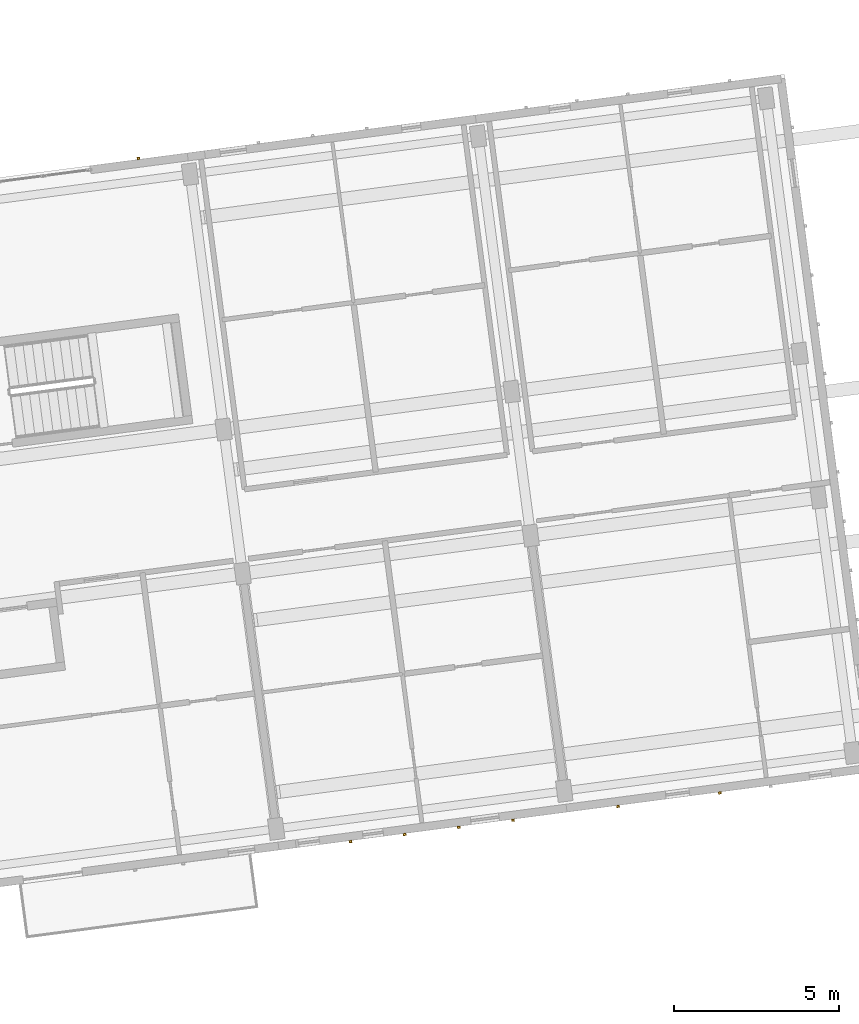
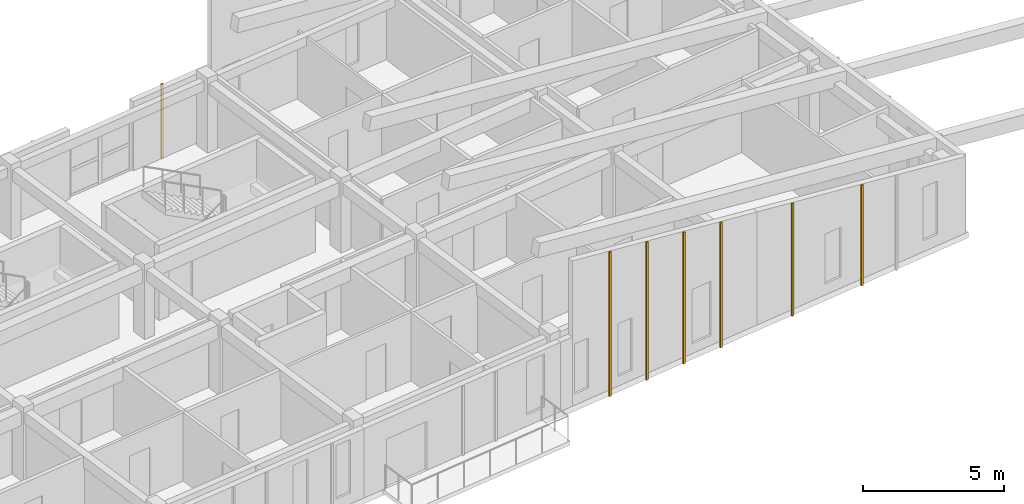
# One storey, part 13 of 16: 7 coverings.
"""IFC4 building model written with IfcOpenShell, lengths in metres."""

from ifc_helpers import new_model, si_unit, direction, frame, origin, origin_2d, place, context, subcontext, project, spatial, rectangle, extrude, material, layer, layer_set, type_object, element, save


model = new_model("IFC4")

# Units and contexts
model_context = context("Model", 3, precision=1e-05, world=origin(), true_north=direction((0.0, 1.0)))
body_context = subcontext(model_context, "Body", "Model", "MODEL_VIEW")
ifc_project = project(units=[si_unit("LENGTHUNIT", "METRE"), si_unit("AREAUNIT", "SQUARE_METRE"), si_unit("VOLUMEUNIT", "CUBIC_METRE"), si_unit("PLANEANGLEUNIT", "RADIAN"), si_unit("MASSUNIT", "GRAM", prefix="KILO")], contexts=[model_context])

# Site, building, storey
site_placement = place(None, origin())
site = spatial("IfcSite", under=ifc_project, at=site_placement, CompositionType="ELEMENT")
building_placement = place(site_placement, origin())
building = spatial("IfcBuilding", under=site, at=building_placement, Name="Kestramere Prow Commons", CompositionType="ELEMENT")
storey_placement = place(building_placement, frame((0.0, 0.0, 40.89990234375)))
storey = spatial("IfcBuildingStorey", under=building, at=storey_placement, Name="L12", CompositionType="ELEMENT", Elevation=40.89990234375)

# Coverings
ifc_material = material(Name="Weathered Zinc-Titanium Standing-Seam Cladding")
ifc_layer = layer(ifc_material, 0.074951171875)
ifc_layer_set = layer_set([ifc_layer], Name="Weathered Zinc-Titanium Standing-Seam Cladding")
covering_type = type_object("IfcCoveringType", Name="COV-CLAD-SEAM", PredefinedType="CLADDING", material=ifc_layer_set)
covering_1_placement = place(storey_placement, frame((44.54638671875, 75.706787109375, -0.25), z_axis=(0.0, 0.0, 1.0), x_axis=(-0.991444861374, -0.13052619222, 0.0)))
element("IfcCovering", 1, at=covering_1_placement, inside=storey, type_object=covering_type, Name="EW-A-L12-S-3 Standing-Seam Rib 1", PredefinedType="CLADDING", context=body_context, shape_type="SweptSolid", body=[
    extrude(rectangle(XDim=0.0849609375, YDim=0.06494140625, at=origin_2d()), origin(), (0.0, 0.0, 1.0), 5.4306640625),
])
covering_2_placement = place(storey_placement, frame((42.905517578125, 75.49072265625, -0.25), z_axis=(0.0, 0.0, 1.0), x_axis=(-0.991444861374, -0.13052619222, 0.0)))
element("IfcCovering", 2, at=covering_2_placement, inside=storey, type_object=covering_type, Name="EW-A-L12-S-3 Standing-Seam Rib 2", PredefinedType="CLADDING", context=body_context, shape_type="SweptSolid", body=[
    extrude(rectangle(XDim=0.0849609375, YDim=0.06494140625, at=origin_2d()), origin(), (0.0, 0.0, 1.0), 5.710693359375),
])
covering_3_placement = place(storey_placement, frame((41.2646484375, 75.274658203125, -0.249755859375), z_axis=(0.0, 0.0, 1.0), x_axis=(-0.991444861374, -0.13052619222, 0.0)))
element("IfcCovering", 3, at=covering_3_placement, inside=storey, type_object=covering_type, Name="EW-A-L12-S-3 Standing-Seam Rib 3", PredefinedType="CLADDING", context=body_context, shape_type="SweptSolid", body=[
    extrude(rectangle(XDim=0.0849609375, YDim=0.06494140625, at=origin_2d()), origin(), (0.0, 0.0, 1.0), 5.99072265625),
])
covering_4_placement = place(storey_placement, frame((39.6240234375, 75.058837890625, -0.25), z_axis=(0.0, 0.0, 1.0), x_axis=(-0.991444861374, -0.13052619222, 0.0)))
element("IfcCovering", 4, at=covering_4_placement, inside=storey, type_object=covering_type, Name="EW-A-L12-S-3 Standing-Seam Rib 4", PredefinedType="CLADDING", context=body_context, shape_type="SweptSolid", body=[
    extrude(rectangle(XDim=0.0849609375, YDim=0.06494140625, at=origin_2d()), origin(), (0.0, 0.0, 1.0), 6.27099609375),
])
covering_5_placement = place(storey_placement, frame((50.809814453125, 76.531494140625, -0.25), z_axis=(0.0, 0.0, 1.0), x_axis=(-0.991444861374, -0.13052619222, 0.0)))
element("IfcCovering", 5, at=covering_5_placement, inside=storey, type_object=covering_type, Name="EW-A-L12-S-4 Standing-Seam Rib 3", PredefinedType="CLADDING", context=body_context, shape_type="SweptSolid", body=[
    extrude(rectangle(XDim=0.0849609375, YDim=0.06494140625, at=origin_2d()), origin(), (0.0, 0.0, 1.0), 4.361572265625),
])
covering_6_placement = place(storey_placement, frame((47.728271484375, 76.125732421875, -0.25), z_axis=(0.0, 0.0, 1.0), x_axis=(-0.991444861374, -0.13052619222, 0.0)))
element("IfcCovering", 6, at=covering_6_placement, inside=storey, type_object=covering_type, Name="EW-A-L12-S-4 Standing-Seam Rib 5", PredefinedType="CLADDING", context=body_context, shape_type="SweptSolid", body=[
    extrude(rectangle(XDim=0.0849609375, YDim=0.06494140625, at=origin_2d()), origin(), (0.0, 0.0, 1.0), 4.8876953125),
])
covering_7_placement = place(storey_placement, frame((33.200439453125, 95.75244140625, -0.25), z_axis=(0.0, 0.0, 1.0), x_axis=(0.991444861374, 0.13052619222, 0.0)))
element("IfcCovering", 7, at=covering_7_placement, inside=storey, type_object=covering_type, Name="EW-A-L12-NP-2-R Standing-Seam Rib 1", PredefinedType="CLADDING", context=body_context, shape_type="SweptSolid", body=[
    extrude(rectangle(XDim=0.0849609375, YDim=0.06494140625, at=origin_2d()), origin(), (0.0, 0.0, 1.0), 3.25),
])

save(model, "model.ifc")
